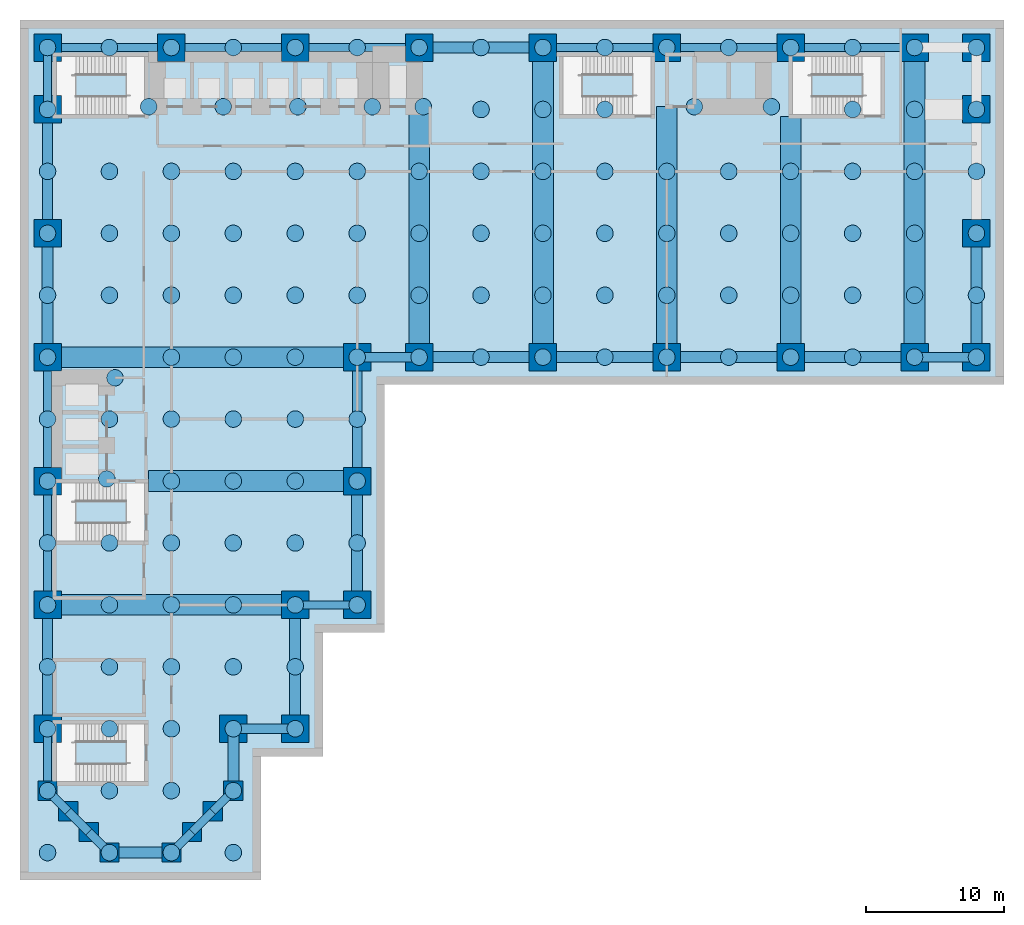
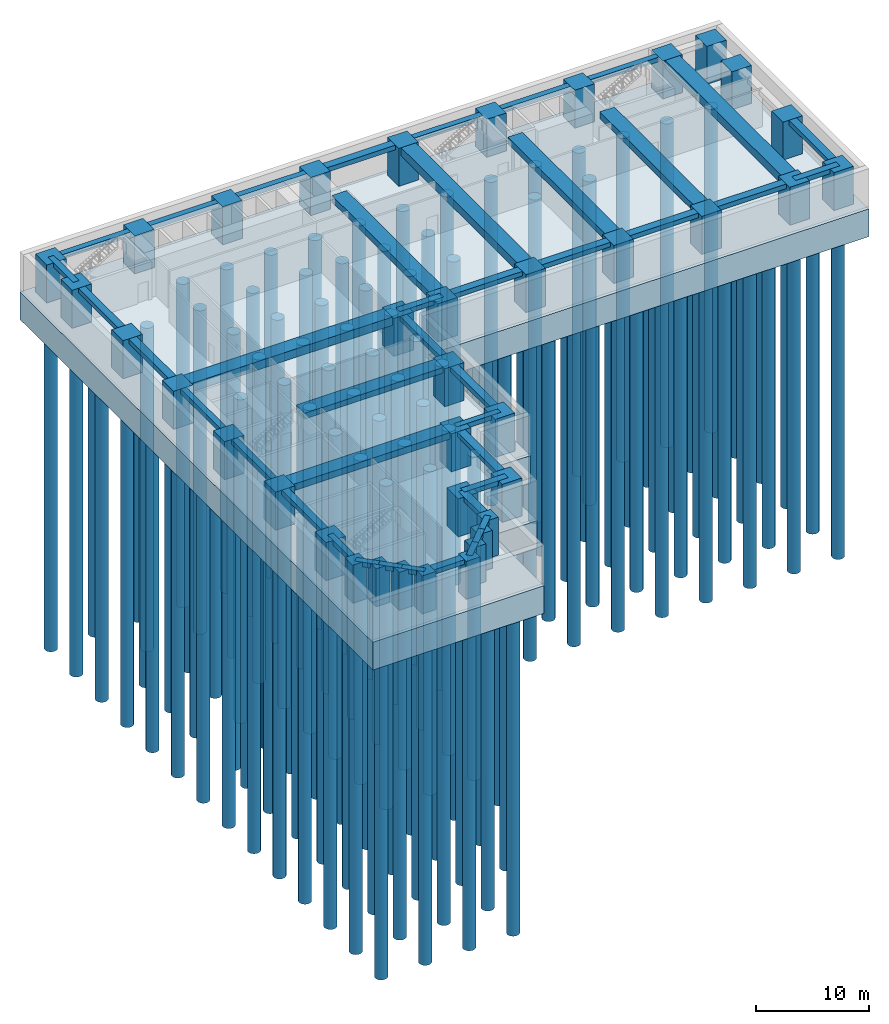
# One storey, part 1 of 7: 136 piles, 42 beams, 37 columns, 1 footing.
"""IFC4 building model written with IfcOpenShell, lengths in metres."""

from ifc_helpers import new_model, si_unit, direction, frame, origin, origin_2d, place, context, subcontext, project, spatial, polyline, rectangle, circle, outline, extrude, material, layer, layer_set, material_profile, profile_set, type_object, element, save


model = new_model("IFC4")

# Units and contexts
model_context = context("Model", 3, precision=1e-05, world=origin(), true_north=direction((0.0, 1.0)))
body_context = subcontext(model_context, "Body", "Model", "MODEL_VIEW")
ifc_project = project(units=[si_unit("LENGTHUNIT", "METRE"), si_unit("AREAUNIT", "SQUARE_METRE"), si_unit("VOLUMEUNIT", "CUBIC_METRE"), si_unit("PLANEANGLEUNIT", "RADIAN"), si_unit("MASSUNIT", "GRAM", prefix="KILO")], contexts=[model_context])

# Site, building, storey
site_placement = place(None, origin())
site = spatial("IfcSite", under=ifc_project, at=site_placement, CompositionType="ELEMENT")
building_placement = place(site_placement, origin())
building = spatial("IfcBuilding", under=site, at=building_placement, Name="Firuza Court", CompositionType="ELEMENT")
storey_placement = place(building_placement, frame((0.0, 0.0, -9.0)))
storey = spatial("IfcBuildingStorey", under=building, at=storey_placement, Name="B2", CompositionType="ELEMENT", Elevation=-9.0)

# Piles
ifc_material_1 = material(Name="Concrete C40/50", Category="concrete")
ifc_material_profile_1 = material_profile(ifc_material_1, circle(Radius=0.60009765625, at=origin_2d()), Name="Pile D1200")
ifc_profile_set_1 = profile_set([ifc_material_profile_1], Name="Concrete C40/50")
pile_type = type_object("IfcPileType", Name="Bored pile D1200", PredefinedType="BORED", material=ifc_profile_set_1)
for number, where, z_axis, x_axis, name in (
    (1, (0.0, 0.0, -3.25), (0.0, 0.0, -1.0), (1.0, 0.0, 0.0), "Pile P1 001"),
    (2, (4.5, 0.0, -3.25), (0.0, 0.0, -1.0), (1.0, 0.0, 0.0), "Pile P1 002"),
    (3, (9.0, 0.0, -3.25), (0.0, 0.0, -1.0), (1.0, 0.0, 0.0), "Pile P1 003"),
    (4, (13.5, 0.0, -3.25), (0.0, 0.0, -1.0), (1.0, 0.0, 0.0), "Pile P1 004"),
    (5, (0.0, 4.5, -3.25), (0.0, 0.0, -1.0), (1.0, 0.0, 0.0), "Pile P1 005"),
    (6, (4.5, 4.5, -3.25), (0.0, 0.0, -1.0), (1.0, 0.0, 0.0), "Pile P1 006"),
    (7, (9.0, 4.5, -3.25), (0.0, 0.0, -1.0), (1.0, 0.0, 0.0), "Pile P1 007"),
    (8, (13.5, 4.5, -3.25), (0.0, 0.0, -1.0), (1.0, 0.0, 0.0), "Pile P1 008"),
    (9, (0.0, 9.0, -3.25), (0.0, 0.0, -1.0), (1.0, 0.0, 0.0), "Pile P1 009"),
    (10, (4.5, 9.0, -3.25), (0.0, 0.0, -1.0), (1.0, 0.0, 0.0), "Pile P1 010"),
    (11, (9.0, 9.0, -3.25), (0.0, 0.0, -1.0), (1.0, 0.0, 0.0), "Pile P1 011"),
    (12, (13.5, 9.0, -3.25), (0.0, 0.0, -1.0), (1.0, 0.0, 0.0), "Pile P1 012"),
    (13, (18.0, 9.0, -3.25), (0.0, 0.0, -1.0), (1.0, 0.0, 0.0), "Pile P1 013"),
    (14, (0.0, 13.5, -3.25), (0.0, 0.0, -1.0), (1.0, 0.0, 0.0), "Pile P1 014"),
    (15, (4.5, 13.5, -3.25), (0.0, 0.0, -1.0), (1.0, 0.0, 0.0), "Pile P1 015"),
    (16, (9.0, 13.5, -3.25), (0.0, 0.0, -1.0), (1.0, 0.0, 0.0), "Pile P1 016"),
    (17, (13.5, 13.5, -3.25), (0.0, 0.0, -1.0), (1.0, 0.0, 0.0), "Pile P1 017"),
    (18, (18.0, 13.5, -3.25), (0.0, 0.0, -1.0), (1.0, 0.0, 0.0), "Pile P1 018"),
    (19, (0.0, 18.0, -3.25), (0.0, 0.0, -1.0), (1.0, 0.0, 0.0), "Pile P1 019"),
    (20, (4.5, 18.0, -3.25), (0.0, 0.0, -1.0), (1.0, 0.0, 0.0), "Pile P1 020"),
    (21, (9.0, 18.0, -3.25), (0.0, 0.0, -1.0), (1.0, 0.0, 0.0), "Pile P1 021"),
    (22, (13.5, 18.0, -3.25), (0.0, 0.0, -1.0), (1.0, 0.0, 0.0), "Pile P1 022"),
    (23, (18.0, 18.0, -3.25), (0.0, 0.0, -1.0), (1.0, 0.0, 0.0), "Pile P1 023"),
    (24, (22.5, 18.0, -3.25), (0.0, 0.0, -1.0), (1.0, 0.0, 0.0), "Pile P1 024"),
    (25, (0.0, 22.5, -3.25), (0.0, 0.0, -1.0), (1.0, 0.0, 0.0), "Pile P1 025"),
    (26, (4.5, 22.5, -3.25), (0.0, 0.0, -1.0), (1.0, 0.0, 0.0), "Pile P1 026"),
    (27, (9.0, 22.5, -3.25), (0.0, 0.0, -1.0), (1.0, 0.0, 0.0), "Pile P1 027"),
    (28, (13.5, 22.5, -3.25), (0.0, 0.0, -1.0), (1.0, 0.0, 0.0), "Pile P1 028"),
    (29, (18.0, 22.5, -3.25), (0.0, 0.0, -1.0), (1.0, 0.0, 0.0), "Pile P1 029"),
    (30, (22.5, 22.5, -3.25), (0.0, 0.0, -1.0), (1.0, 0.0, 0.0), "Pile P1 030"),
    (31, (0.0, 27.0, -3.25), (0.0, 0.0, -1.0), (1.0, 0.0, 0.0), "Pile P1 031"),
    (32, (9.0, 27.0, -3.25), (0.0, 0.0, -1.0), (1.0, 0.0, 0.0), "Pile P1 032"),
    (33, (13.5, 27.0, -3.25), (0.0, 0.0, -1.0), (1.0, 0.0, 0.0), "Pile P1 033"),
    (34, (18.0, 27.0, -3.25), (0.0, 0.0, -1.0), (1.0, 0.0, 0.0), "Pile P1 034"),
    (35, (22.5, 27.0, -3.25), (0.0, 0.0, -1.0), (1.0, 0.0, 0.0), "Pile P1 035"),
    (36, (4.300048828125, 27.14990234375, -3.25), (0.0, 0.0, -1.0), (1.0, 0.0, 0.0), "Pile P1 036"),
    (37, (0.0, 31.5, -3.25), (0.0, 0.0, -1.0), (1.0, 0.0, 0.0), "Pile P1 037"),
    (38, (4.5, 31.5, -3.25), (0.0, 0.0, -1.0), (1.0, 0.0, 0.0), "Pile P1 038"),
    (39, (9.0, 31.5, -3.25), (0.0, 0.0, -1.0), (1.0, 0.0, 0.0), "Pile P1 039"),
    (40, (13.5, 31.5, -3.25), (0.0, 0.0, -1.0), (1.0, 0.0, 0.0), "Pile P1 040"),
    (41, (18.0, 31.5, -3.25), (0.0, 0.0, -1.0), (1.0, 0.0, 0.0), "Pile P1 041"),
    (42, (22.5, 31.5, -3.25), (0.0, 0.0, -1.0), (1.0, 0.0, 0.0), "Pile P1 042"),
    (43, (4.89990234375, 34.5, -3.25), (0.0, 0.0, -1.0), (1.0, 0.0, 0.0), "Pile P1 043"),
    (44, (0.0, 36.0, -3.25), (0.0, 0.0, -1.0), (1.0, 0.0, 0.0), "Pile P1 044"),
    (45, (9.0, 36.0, -3.25), (0.0, 0.0, -1.0), (1.0, 0.0, 0.0), "Pile P1 045"),
    (46, (13.5, 36.0, -3.25), (0.0, 0.0, -1.0), (1.0, 0.0, 0.0), "Pile P1 046"),
    (47, (18.0, 36.0, -3.25), (0.0, 0.0, -1.0), (1.0, 0.0, 0.0), "Pile P1 047"),
    (48, (22.5, 36.0, -3.25), (0.0, 0.0, -1.0), (1.0, 0.0, 0.0), "Pile P1 048"),
    (49, (27.0, 36.0, -3.25), (0.0, 0.0, -1.0), (1.0, 0.0, 0.0), "Pile P1 049"),
    (50, (31.5, 36.0, -3.25), (0.0, 0.0, -1.0), (1.0, 0.0, 0.0), "Pile P1 050"),
    (51, (36.0, 36.0, -3.25), (0.0, 0.0, -1.0), (1.0, 0.0, 0.0), "Pile P1 051"),
    (52, (40.5, 36.0, -3.25), (0.0, 0.0, -1.0), (1.0, 0.0, 0.0), "Pile P1 052"),
    (53, (45.0, 36.0, -3.25), (0.0, 0.0, -1.0), (1.0, 0.0, 0.0), "Pile P1 053"),
    (54, (49.5, 36.0, -3.25), (0.0, 0.0, -1.0), (1.0, 0.0, 0.0), "Pile P1 054"),
    (55, (54.0, 36.0, -3.25), (0.0, 0.0, -1.0), (1.0, 0.0, 0.0), "Pile P1 055"),
    (56, (58.5, 36.0, -3.25), (0.0, 0.0, -1.0), (1.0, 0.0, 0.0), "Pile P1 056"),
    (57, (63.0, 36.0, -3.25), (0.0, 0.0, -1.0), (1.0, 0.0, 0.0), "Pile P1 057"),
    (58, (67.5, 36.0, -3.25), (0.0, 0.0, -1.0), (1.0, 0.0, 0.0), "Pile P1 058"),
    (59, (0.0, 40.5, -3.25), (0.0, 0.0, -1.0), (1.0, 0.0, 0.0), "Pile P1 059"),
    (60, (4.5, 40.5, -3.25), (0.0, 0.0, -1.0), (1.0, 0.0, 0.0), "Pile P1 060"),
    (61, (9.0, 40.5, -3.25), (0.0, 0.0, -1.0), (1.0, 0.0, 0.0), "Pile P1 061"),
    (62, (13.5, 40.5, -3.25), (0.0, 0.0, -1.0), (1.0, 0.0, 0.0), "Pile P1 062"),
    (63, (18.0, 40.5, -3.25), (0.0, 0.0, -1.0), (1.0, 0.0, 0.0), "Pile P1 063"),
    (64, (22.5, 40.5, -3.25), (0.0, 0.0, -1.0), (1.0, 0.0, 0.0), "Pile P1 064"),
    (65, (27.0, 40.5, -3.25), (0.0, 0.0, -1.0), (1.0, 0.0, 0.0), "Pile P1 065"),
    (66, (31.5, 40.5, -3.25), (0.0, 0.0, -1.0), (1.0, 0.0, 0.0), "Pile P1 066"),
    (67, (36.0, 40.5, -3.25), (0.0, 0.0, -1.0), (1.0, 0.0, 0.0), "Pile P1 067"),
    (68, (40.5, 40.5, -3.25), (0.0, 0.0, -1.0), (1.0, 0.0, 0.0), "Pile P1 068"),
    (69, (45.0, 40.5, -3.25), (0.0, 0.0, -1.0), (1.0, 0.0, 0.0), "Pile P1 069"),
    (70, (49.5, 40.5, -3.25), (0.0, 0.0, -1.0), (1.0, 0.0, 0.0), "Pile P1 070"),
    (71, (54.0, 40.5, -3.25), (0.0, 0.0, -1.0), (1.0, 0.0, 0.0), "Pile P1 071"),
    (72, (58.5, 40.5, -3.25), (0.0, 0.0, -1.0), (1.0, 0.0, 0.0), "Pile P1 072"),
    (73, (63.0, 40.5, -3.25), (0.0, 0.0, -1.0), (1.0, 0.0, 0.0), "Pile P1 073"),
    (74, (67.5, 40.5, -3.25), (0.0, 0.0, -1.0), (1.0, 0.0, 0.0), "Pile P1 074"),
    (75, (0.0, 45.0, -3.25), (0.0, 0.0, -1.0), (1.0, 0.0, 0.0), "Pile P1 075"),
    (76, (4.5, 45.0, -3.25), (0.0, 0.0, -1.0), (1.0, 0.0, 0.0), "Pile P1 076"),
    (77, (9.0, 45.0, -3.25), (0.0, 0.0, -1.0), (1.0, 0.0, 0.0), "Pile P1 077"),
    (78, (13.5, 45.0, -3.25), (0.0, 0.0, -1.0), (1.0, 0.0, 0.0), "Pile P1 078"),
    (79, (18.0, 45.0, -3.25), (0.0, 0.0, -1.0), (1.0, 0.0, 0.0), "Pile P1 079"),
    (80, (22.5, 45.0, -3.25), (0.0, 0.0, -1.0), (1.0, 0.0, 0.0), "Pile P1 080"),
    (81, (27.0, 45.0, -3.25), (0.0, 0.0, -1.0), (1.0, 0.0, 0.0), "Pile P1 081"),
    (82, (31.5, 45.0, -3.25), (0.0, 0.0, -1.0), (1.0, 0.0, 0.0), "Pile P1 082"),
    (83, (36.0, 45.0, -3.25), (0.0, 0.0, -1.0), (1.0, 0.0, 0.0), "Pile P1 083"),
    (84, (40.5, 45.0, -3.25), (0.0, 0.0, -1.0), (1.0, 0.0, 0.0), "Pile P1 084"),
    (85, (45.0, 45.0, -3.25), (0.0, 0.0, -1.0), (1.0, 0.0, 0.0), "Pile P1 085"),
    (86, (49.5, 45.0, -3.25), (0.0, 0.0, -1.0), (1.0, 0.0, 0.0), "Pile P1 086"),
    (87, (54.0, 45.0, -3.25), (0.0, 0.0, -1.0), (1.0, 0.0, 0.0), "Pile P1 087"),
    (88, (58.5, 45.0, -3.25), (0.0, 0.0, -1.0), (1.0, 0.0, 0.0), "Pile P1 088"),
    (89, (63.0, 45.0, -3.25), (0.0, 0.0, -1.0), (1.0, 0.0, 0.0), "Pile P1 089"),
    (90, (67.5, 45.0, -3.25), (0.0, 0.0, -1.0), (1.0, 0.0, 0.0), "Pile P1 090"),
    (91, (0.0, 49.5, -3.25), (0.0, 0.0, -1.0), (1.0, 0.0, 0.0), "Pile P1 091"),
    (92, (4.5, 49.5, -3.25), (0.0, 0.0, -1.0), (1.0, 0.0, 0.0), "Pile P1 092"),
    (93, (9.0, 49.5, -3.25), (0.0, 0.0, -1.0), (1.0, 0.0, 0.0), "Pile P1 093"),
    (94, (13.5, 49.5, -3.25), (0.0, 0.0, -1.0), (1.0, 0.0, 0.0), "Pile P1 094"),
    (95, (18.0, 49.5, -3.25), (0.0, 0.0, -1.0), (1.0, 0.0, 0.0), "Pile P1 095"),
    (96, (22.5, 49.5, -3.25), (0.0, 0.0, -1.0), (1.0, 0.0, 0.0), "Pile P1 096"),
    (97, (27.0, 49.5, -3.25), (0.0, 0.0, -1.0), (1.0, 0.0, 0.0), "Pile P1 097"),
    (98, (31.5, 49.5, -3.25), (0.0, 0.0, -1.0), (1.0, 0.0, 0.0), "Pile P1 098"),
    (99, (36.0, 49.5, -3.25), (0.0, 0.0, -1.0), (1.0, 0.0, 0.0), "Pile P1 099"),
    (100, (40.5, 49.5, -3.25), (0.0, 0.0, -1.0), (1.0, 0.0, 0.0), "Pile P1 100"),
    (101, (45.0, 49.5, -3.25), (0.0, 0.0, -1.0), (1.0, 0.0, 0.0), "Pile P1 101"),
    (102, (49.5, 49.5, -3.25), (0.0, 0.0, -1.0), (1.0, 0.0, 0.0), "Pile P1 102"),
    (103, (54.0, 49.5, -3.25), (0.0, 0.0, -1.0), (1.0, 0.0, 0.0), "Pile P1 103"),
    (104, (58.5, 49.5, -3.25), (0.0, 0.0, -1.0), (1.0, 0.0, 0.0), "Pile P1 104"),
    (105, (63.0, 49.5, -3.25), (0.0, 0.0, -1.0), (1.0, 0.0, 0.0), "Pile P1 105"),
    (106, (67.5, 49.5, -3.25), (0.0, 0.0, -1.0), (1.0, 0.0, 0.0), "Pile P1 106"),
    (107, (0.0, 54.0, -3.25), (0.0, 0.0, -1.0), (1.0, 0.0, 0.0), "Pile P1 107"),
    (108, (31.5, 54.0, -3.25), (0.0, 0.0, -1.0), (1.0, 0.0, 0.0), "Pile P1 108"),
    (109, (36.0, 54.0, -3.25), (0.0, 0.0, -1.0), (1.0, 0.0, 0.0), "Pile P1 109"),
    (110, (40.5, 54.0, -3.25), (0.0, 0.0, -1.0), (1.0, 0.0, 0.0), "Pile P1 110"),
    (111, (58.5, 54.0, -3.25), (0.0, 0.0, -1.0), (1.0, 0.0, 0.0), "Pile P1 111"),
    (112, (63.0, 54.0, -3.25), (0.0, 0.0, -1.0), (1.0, 0.0, 0.0), "Pile P1 112"),
    (113, (67.5, 54.0, -3.25), (0.0, 0.0, -1.0), (1.0, 0.0, 0.0), "Pile P1 113"),
    (114, (7.35009765625, 54.199951171875, -3.25), (0.0, 0.0, -1.0), (1.0, 0.0, 0.0), "Pile P1 114"),
    (115, (12.76708984375, 54.199951171875, -3.25), (0.0, 0.0, -1.0), (1.0, 0.0, 0.0), "Pile P1 115"),
    (116, (18.18310546875, 54.199951171875, -3.25), (0.0, 0.0, -1.0), (1.0, 0.0, 0.0), "Pile P1 116"),
    (117, (23.60009765625, 54.199951171875, -3.25), (0.0, 0.0, -1.0), (1.0, 0.0, 0.0), "Pile P1 117"),
    (118, (27.300048828125, 54.199951171875, -3.25), (0.0, 0.0, -1.0), (1.0, 0.0, 0.0), "Pile P1 118"),
    (119, (47.0, 54.199951171875, -3.25), (0.0, 0.0, -1.0), (1.0, 0.0, 0.0), "Pile P1 119"),
    (120, (52.60009765625, 54.199951171875, -3.25), (0.0, 0.0, -1.0), (1.0, 0.0, 0.0), "Pile P1 120"),
    (121, (0.0, 58.5, -3.25), (0.0, 0.0, -1.0), (1.0, 0.0, 0.0), "Pile P1 121"),
    (122, (4.5, 58.5, -3.25), (0.0, 0.0, -1.0), (1.0, 0.0, 0.0), "Pile P1 122"),
    (123, (9.0, 58.5, -3.25), (0.0, 0.0, -1.0), (1.0, 0.0, 0.0), "Pile P1 123"),
    (124, (13.5, 58.5, -3.25), (0.0, 0.0, -1.0), (1.0, 0.0, 0.0), "Pile P1 124"),
    (125, (18.0, 58.5, -3.25), (0.0, 0.0, -1.0), (1.0, 0.0, 0.0), "Pile P1 125"),
    (126, (22.5, 58.5, -3.25), (0.0, 0.0, -1.0), (1.0, 0.0, 0.0), "Pile P1 126"),
    (127, (27.0, 58.5, -3.25), (0.0, 0.0, -1.0), (1.0, 0.0, 0.0), "Pile P1 127"),
    (128, (31.5, 58.5, -3.25), (0.0, 0.0, -1.0), (1.0, 0.0, 0.0), "Pile P1 128"),
    (129, (36.0, 58.5, -3.25), (0.0, 0.0, -1.0), (1.0, 0.0, 0.0), "Pile P1 129"),
    (130, (40.5, 58.5, -3.25), (0.0, 0.0, -1.0), (1.0, 0.0, 0.0), "Pile P1 130"),
    (131, (45.0, 58.5, -3.25), (0.0, 0.0, -1.0), (1.0, 0.0, 0.0), "Pile P1 131"),
    (132, (49.5, 58.5, -3.25), (0.0, 0.0, -1.0), (1.0, 0.0, 0.0), "Pile P1 132"),
    (133, (54.0, 58.5, -3.25), (0.0, 0.0, -1.0), (1.0, 0.0, 0.0), "Pile P1 133"),
    (134, (58.5, 58.5, -3.25), (0.0, 0.0, -1.0), (1.0, 0.0, 0.0), "Pile P1 134"),
    (135, (63.0, 58.5, -3.25), (0.0, 0.0, -1.0), (1.0, 0.0, 0.0), "Pile P1 135"),
    (136, (67.5, 58.5, -3.25), (0.0, 0.0, -1.0), (1.0, 0.0, 0.0), "Pile P1 136"),
):
    element("IfcPile", number, at=place(storey_placement, frame(where, z_axis=z_axis, x_axis=x_axis)), inside=storey, type_object=pile_type, Name=name, PredefinedType="BORED", context=body_context, shape_type="SweptSolid", body=[
        extrude(circle(Radius=0.60009765625, at=origin_2d()), origin(), (0.0, 0.0, 1.0), 35.0),
    ])

# Footing
ifc_material_2 = material(Name="Concrete C40/50", Category="concrete")
ifc_layer = layer(ifc_material_2, 3.0)
ifc_layer_set = layer_set([ifc_layer], Name="Concrete C40/50")
footing_type = type_object("IfcFootingType", Name="Piled raft 3000", PredefinedType="PILE_CAP", material=ifc_layer_set)
footing_placement = place(storey_placement, frame((0.0, 0.0, -3.25)))
element("IfcFooting", 137, at=footing_placement, inside=storey, type_object=footing_type, Name="Tower piled raft R1", PredefinedType="PILE_CAP", context=body_context, shape_type="SweptSolid", body=[
    extrude(outline(polyline([(15.5, -2.0), (15.5, 7.0), (20.0, 7.0), (20.0, 16.0), (24.5, 16.0), (24.5, 34.0), (69.5, 34.0), (69.5, 60.5), (-2.0, 60.5), (-2.0, -2.0), (15.5, -2.0)])), origin(), (0.0, 0.0, 1.0), 3.0),
])

# Columns
ifc_material_3 = material(Name="Concrete C80/95", Category="concrete")
ifc_material_profile_2 = material_profile(ifc_material_3, rectangle(XDim=1.39990234375, YDim=1.39990234375, at=origin_2d()), Name="RC 1400x1400")
ifc_profile_set_2 = profile_set([ifc_material_profile_2], Name="Concrete C80/95")
column_type_1 = type_object("IfcColumnType", Name="Stilt column RC 1400x1400 C80/95", PredefinedType="COLUMN", material=ifc_profile_set_2)
for number, where, z_axis, x_axis, name in (
    (138, (4.5, 0.0, 0.0), (0.0, 0.0, 1.0), (1.0, 0.0, 0.0), "Column C-2D B2"),
    (139, (9.0, 0.0, 0.0), (0.0, 0.0, 1.0), (1.0, 0.0, 0.0), "Column C-3D B2"),
    (140, (3.0, 1.5, 0.0), (0.0, 0.0, 1.0), (1.0, 0.0, 0.0), "Column C-SA1 B2"),
    (141, (10.5, 1.5, 0.0), (0.0, 0.0, 1.0), (1.0, 0.0, 0.0), "Column C-SA2 B2"),
    (142, (1.5, 3.0, 0.0), (0.0, 0.0, 1.0), (1.0, 0.0, 0.0), "Column C-SA3 B2"),
    (143, (12.0, 3.0, 0.0), (0.0, 0.0, 1.0), (1.0, 0.0, 0.0), "Column C-SA4 B2"),
    (144, (0.0, 4.5, 0.0), (0.0, 0.0, 1.0), (1.0, 0.0, 0.0), "Column C-1E B2"),
    (145, (13.5, 4.5, 0.0), (0.0, 0.0, 1.0), (1.0, 0.0, 0.0), "Column C-4E B2"),
):
    element("IfcColumn", number, at=place(storey_placement, frame(where, z_axis=z_axis, x_axis=x_axis)), inside=storey, type_object=column_type_1, Name=name, PredefinedType="COLUMN", context=body_context, shape_type="SweptSolid", body=[
        extrude(rectangle(XDim=1.39990234375, YDim=1.39990234375, at=origin_2d()), origin(), (0.0, 0.0, 1.0), 4.10009765625),
    ])
ifc_material_4 = material(Name="Concrete C80/95", Category="concrete")
ifc_material_profile_3 = material_profile(ifc_material_4, rectangle(XDim=2.0, YDim=2.0, at=origin_2d()), Name="RC 2000x2000")
ifc_profile_set_3 = profile_set([ifc_material_profile_3], Name="Concrete C80/95")
column_type_2 = type_object("IfcColumnType", Name="Stilt column RC 2000x2000 C80/95", PredefinedType="COLUMN", material=ifc_profile_set_3)
for number, where, z_axis, x_axis, name in (
    (146, (0.0, 9.0, 0.0), (0.0, 0.0, 1.0), (1.0, 0.0, 0.0), "Column C-1F B2"),
    (147, (13.5, 9.0, 0.0), (0.0, 0.0, 1.0), (1.0, 0.0, 0.0), "Column C-4F B2"),
    (148, (18.0, 9.0, 0.0), (0.0, 0.0, 1.0), (1.0, 0.0, 0.0), "Column C-5F B2"),
    (149, (0.0, 18.0, 0.0), (0.0, 0.0, 1.0), (1.0, 0.0, 0.0), "Column C-1H B2"),
    (150, (18.0, 18.0, 0.0), (0.0, 0.0, 1.0), (1.0, 0.0, 0.0), "Column C-5H B2"),
    (151, (22.5, 18.0, 0.0), (0.0, 0.0, 1.0), (1.0, 0.0, 0.0), "Column C-6H B2"),
    (152, (0.0, 27.0, 0.0), (0.0, 0.0, 1.0), (1.0, 0.0, 0.0), "Column C-1K B2"),
    (153, (22.5, 27.0, 0.0), (0.0, 0.0, 1.0), (1.0, 0.0, 0.0), "Column C-6K B2"),
    (154, (0.0, 36.0, 0.0), (0.0, 0.0, 1.0), (1.0, 0.0, 0.0), "Column C-1M B2"),
    (155, (22.5, 36.0, 0.0), (0.0, 0.0, 1.0), (1.0, 0.0, 0.0), "Column C-6M B2"),
    (156, (27.0, 36.0, 0.0), (0.0, 0.0, 1.0), (1.0, 0.0, 0.0), "Column C-7M B2"),
    (157, (36.0, 36.0, 0.0), (0.0, 0.0, 1.0), (1.0, 0.0, 0.0), "Column C-9M B2"),
    (158, (45.0, 36.0, 0.0), (0.0, 0.0, 1.0), (1.0, 0.0, 0.0), "Column C-11M B2"),
    (159, (54.0, 36.0, 0.0), (0.0, 0.0, 1.0), (1.0, 0.0, 0.0), "Column C-13M B2"),
    (160, (63.0, 36.0, 0.0), (0.0, 0.0, 1.0), (1.0, 0.0, 0.0), "Column C-15M B2"),
    (161, (67.5, 36.0, 0.0), (0.0, 0.0, 1.0), (1.0, 0.0, 0.0), "Column C-16M B2"),
    (162, (0.0, 45.0, 0.0), (0.0, 0.0, 1.0), (1.0, 0.0, 0.0), "Column C-1P B2"),
    (163, (67.5, 45.0, 0.0), (0.0, 0.0, 1.0), (1.0, 0.0, 0.0), "Column C-16P B2"),
    (164, (0.0, 54.0, 0.0), (0.0, 0.0, 1.0), (1.0, 0.0, 0.0), "Column C-1R B2"),
    (165, (67.5, 54.0, 0.0), (0.0, 0.0, 1.0), (1.0, 0.0, 0.0), "Column C-16R B2"),
    (166, (0.0, 58.5, 0.0), (0.0, 0.0, 1.0), (1.0, 0.0, 0.0), "Column C-1S B2"),
    (167, (9.0, 58.5, 0.0), (0.0, 0.0, 1.0), (1.0, 0.0, 0.0), "Column C-3S B2"),
    (168, (18.0, 58.5, 0.0), (0.0, 0.0, 1.0), (1.0, 0.0, 0.0), "Column C-5S B2"),
    (169, (27.0, 58.5, 0.0), (0.0, 0.0, 1.0), (1.0, 0.0, 0.0), "Column C-7S B2"),
    (170, (36.0, 58.5, 0.0), (0.0, 0.0, 1.0), (1.0, 0.0, 0.0), "Column C-9S B2"),
    (171, (45.0, 58.5, 0.0), (0.0, 0.0, 1.0), (1.0, 0.0, 0.0), "Column C-11S B2"),
    (172, (54.0, 58.5, 0.0), (0.0, 0.0, 1.0), (1.0, 0.0, 0.0), "Column C-13S B2"),
    (173, (63.0, 58.5, 0.0), (0.0, 0.0, 1.0), (1.0, 0.0, 0.0), "Column C-15S B2"),
    (174, (67.5, 58.5, 0.0), (0.0, 0.0, 1.0), (1.0, 0.0, 0.0), "Column C-16S B2"),
):
    element("IfcColumn", number, at=place(storey_placement, frame(where, z_axis=z_axis, x_axis=x_axis)), inside=storey, type_object=column_type_2, Name=name, PredefinedType="COLUMN", context=body_context, shape_type="SweptSolid", body=[
        extrude(rectangle(XDim=2.0, YDim=2.0, at=origin_2d()), origin(), (0.0, 0.0, 1.0), 4.10009765625),
    ])

# Beams
ifc_material_5 = material(Name="Concrete C40/50", Category="concrete")
ifc_material_profile_4 = material_profile(ifc_material_5, rectangle(XDim=1.5, YDim=0.60009765625, at=origin_2d()), Name="RC 1500x600")
ifc_profile_set_4 = profile_set([ifc_material_profile_4], Name="Concrete C40/50")
beam_type_1 = type_object("IfcBeamType", Name="Band beam RC 1500x600 C40/50", PredefinedType="BEAM", material=ifc_profile_set_4)
beam_1_placement = place(storey_placement, frame((22.5, 27.0, 3.800048828125), z_axis=(-1.0, 0.0, 0.0), x_axis=(0.0, -1.0, 0.0)))
element("IfcBeam", 175, at=beam_1_placement, inside=storey, type_object=beam_type_1, Name="Band beam FB3 level B1", PredefinedType="BEAM", context=body_context, shape_type="SweptSolid", body=[
    extrude(rectangle(XDim=1.5, YDim=0.60009765625, at=origin_2d()), origin(), (0.0, 0.0, 1.0), 15.14990234375),
])
ifc_material_6 = material(Name="Concrete C40/50", Category="concrete")
ifc_material_profile_5 = material_profile(ifc_material_6, rectangle(XDim=1.5, YDim=0.699951171875, at=origin_2d()), Name="RC 1500x700")
ifc_profile_set_5 = profile_set([ifc_material_profile_5], Name="Concrete C40/50")
beam_type_2 = type_object("IfcBeamType", Name="Band beam RC 1500x700 C40/50", PredefinedType="BEAM", material=ifc_profile_set_5)
beam_2_placement = place(storey_placement, frame((0.0, 18.0, 3.75), z_axis=(1.0, 0.0, 0.0), x_axis=(0.0, 1.0, 0.0)))
element("IfcBeam", 176, at=beam_2_placement, inside=storey, type_object=beam_type_2, Name="Band beam FB1 level B1", PredefinedType="BEAM", context=body_context, shape_type="SweptSolid", body=[
    extrude(rectangle(XDim=1.5, YDim=0.699951171875, at=origin_2d()), origin(), (0.0, 0.0, 1.0), 18.0),
])
for number, where, z_axis, x_axis, name in (
    (177, (27.0, 36.0, 3.75), (0.0, 1.0, 0.0), (-1.0, 0.0, 0.0), "Band beam FB1 level B1"),
    (178, (45.0, 36.0, 3.75), (0.0, 1.0, 0.0), (-1.0, 0.0, 0.0), "Band beam FB1 level B1"),
):
    element("IfcBeam", number, at=place(storey_placement, frame(where, z_axis=z_axis, x_axis=x_axis)), inside=storey, type_object=beam_type_2, Name=name, PredefinedType="BEAM", context=body_context, shape_type="SweptSolid", body=[
        extrude(rectangle(XDim=1.5, YDim=0.699951171875, at=origin_2d()), origin(), (0.0, 0.0, 1.0), 18.199951171875),
    ])
beam_3_placement = place(storey_placement, frame((54.0, 36.0, 3.75), z_axis=(0.0, 1.0, 0.0), x_axis=(-1.0, 0.0, 0.0)))
element("IfcBeam", 179, at=beam_3_placement, inside=storey, type_object=beam_type_2, Name="Band beam FB1 level B1", PredefinedType="BEAM", context=body_context, shape_type="SweptSolid", body=[
    extrude(rectangle(XDim=1.5, YDim=0.699951171875, at=origin_2d()), origin(), (0.0, 0.0, 1.0), 17.5),
])
ifc_material_7 = material(Name="Concrete C40/50", Category="concrete")
ifc_material_profile_6 = material_profile(ifc_material_7, rectangle(XDim=1.5, YDim=0.89990234375, at=origin_2d()), Name="RC 1500x900")
ifc_profile_set_6 = profile_set([ifc_material_profile_6], Name="Concrete C40/50")
beam_type_3 = type_object("IfcBeamType", Name="Band beam RC 1500x900 C40/50", PredefinedType="BEAM", material=ifc_profile_set_6)
for number, where, z_axis, x_axis, name in (
    (180, (0.0, 36.0, 3.64990234375), (1.0, 0.0, 0.0), (0.0, 1.0, 0.0), "Band beam FB2 level B1"),
    (181, (36.0, 36.0, 3.64990234375), (0.0, 1.0, 0.0), (-1.0, 0.0, 0.0), "Band beam FB2 level B1"),
    (182, (63.0, 36.0, 3.64990234375), (0.0, 1.0, 0.0), (-1.0, 0.0, 0.0), "Band beam FB2 level B1"),
):
    element("IfcBeam", number, at=place(storey_placement, frame(where, z_axis=z_axis, x_axis=x_axis)), inside=storey, type_object=beam_type_3, Name=name, PredefinedType="BEAM", context=body_context, shape_type="SweptSolid", body=[
        extrude(rectangle(XDim=1.5, YDim=0.89990234375, at=origin_2d()), origin(), (0.0, 0.0, 1.0), 22.5),
    ])
ifc_material_8 = material(Name="Concrete C40/50", Category="concrete")
ifc_material_profile_7 = material_profile(ifc_material_8, rectangle(XDim=0.60009765625, YDim=0.5, at=origin_2d()), Name="RC 600x500")
ifc_profile_set_7 = profile_set([ifc_material_profile_7], Name="Concrete C40/50")
beam_type_4 = type_object("IfcBeamType", Name="Spandrel beam RC 600x500 C40/50", PredefinedType="BEAM", material=ifc_profile_set_7)
beam_4_placement = place(storey_placement, frame((0.0, 4.5, 3.85009765625), z_axis=(0.707106781187, -0.707106781187, 0.0), x_axis=(0.707106781187, 0.707106781187, 0.0)))
element("IfcBeam", 183, at=beam_4_placement, inside=storey, type_object=beam_type_4, Name="Spandrel beam SP1 level B1", PredefinedType="BEAM", context=body_context, shape_type="SweptSolid", body=[
    extrude(rectangle(XDim=0.60009765625, YDim=0.5, at=origin_2d()), origin(), (0.0, 0.0, 1.0), 2.121337890625),
])
beam_5_placement = place(storey_placement, frame((0.0, 9.0, 3.85009765625), z_axis=(0.0, -1.0, 0.0), x_axis=(1.0, 0.0, 0.0)))
element("IfcBeam", 184, at=beam_5_placement, inside=storey, type_object=beam_type_4, Name="Spandrel beam SP1 level B1", PredefinedType="BEAM", context=body_context, shape_type="SweptSolid", body=[
    extrude(rectangle(XDim=0.60009765625, YDim=0.5, at=origin_2d()), origin(), (0.0, 0.0, 1.0), 4.5),
])
for number, where, z_axis, x_axis, name in (
    (185, (0.0, 27.0, 3.85009765625), (0.0, -1.0, 0.0), (1.0, 0.0, 0.0), "Spandrel beam SP1 level B1"),
    (186, (0.0, 36.0, 3.85009765625), (0.0, -1.0, 0.0), (1.0, 0.0, 0.0), "Spandrel beam SP1 level B1"),
):
    element("IfcBeam", number, at=place(storey_placement, frame(where, z_axis=z_axis, x_axis=x_axis)), inside=storey, type_object=beam_type_4, Name=name, PredefinedType="BEAM", context=body_context, shape_type="SweptSolid", body=[
        extrude(rectangle(XDim=0.60009765625, YDim=0.5, at=origin_2d()), origin(), (0.0, 0.0, 1.0), 9.0),
    ])
beam_6_placement = place(storey_placement, frame((0.0, 58.5, 3.85009765625), z_axis=(0.0, -1.0, 0.0), x_axis=(1.0, 0.0, 0.0)))
element("IfcBeam", 187, at=beam_6_placement, inside=storey, type_object=beam_type_4, Name="Spandrel beam SP1 level B1", PredefinedType="BEAM", context=body_context, shape_type="SweptSolid", body=[
    extrude(rectangle(XDim=0.60009765625, YDim=0.5, at=origin_2d()), origin(), (0.0, 0.0, 1.0), 4.5),
])
for number, where, z_axis, x_axis, name in (
    (188, (1.5, 3.0, 3.85009765625), (0.707106781187, -0.707106781187, 0.0), (0.707106781187, 0.707106781187, 0.0), "Spandrel beam SP1 level B1"),
    (189, (3.0, 1.5, 3.85009765625), (0.707106781187, -0.707106781187, 0.0), (0.707106781187, 0.707106781187, 0.0), "Spandrel beam SP1 level B1"),
    (190, (9.0, 0.0, 3.85009765625), (0.707106781187, 0.707106781187, 0.0), (-0.707106781187, 0.707106781187, 0.0), "Spandrel beam SP1 level B1"),
):
    element("IfcBeam", number, at=place(storey_placement, frame(where, z_axis=z_axis, x_axis=x_axis)), inside=storey, type_object=beam_type_4, Name=name, PredefinedType="BEAM", context=body_context, shape_type="SweptSolid", body=[
        extrude(rectangle(XDim=0.60009765625, YDim=0.5, at=origin_2d()), origin(), (0.0, 0.0, 1.0), 2.121337890625),
    ])
beam_7_placement = place(storey_placement, frame((9.0, 58.5, 3.85009765625), z_axis=(-1.0, 0.0, 0.0), x_axis=(0.0, -1.0, 0.0)))
element("IfcBeam", 191, at=beam_7_placement, inside=storey, type_object=beam_type_4, Name="Spandrel beam SP1 level B1", PredefinedType="BEAM", context=body_context, shape_type="SweptSolid", body=[
    extrude(rectangle(XDim=0.60009765625, YDim=0.5, at=origin_2d()), origin(), (0.0, 0.0, 1.0), 9.0),
])
for number, where, z_axis, x_axis, name in (
    (192, (10.5, 1.5, 3.85009765625), (0.707106781187, 0.707106781187, 0.0), (-0.707106781187, 0.707106781187, 0.0), "Spandrel beam SP1 level B1"),
    (193, (12.0, 3.0, 3.85009765625), (0.707106781187, 0.707106781187, 0.0), (-0.707106781187, 0.707106781187, 0.0), "Spandrel beam SP1 level B1"),
):
    element("IfcBeam", number, at=place(storey_placement, frame(where, z_axis=z_axis, x_axis=x_axis)), inside=storey, type_object=beam_type_4, Name=name, PredefinedType="BEAM", context=body_context, shape_type="SweptSolid", body=[
        extrude(rectangle(XDim=0.60009765625, YDim=0.5, at=origin_2d()), origin(), (0.0, 0.0, 1.0), 2.121337890625),
    ])
beam_8_placement = place(storey_placement, frame((18.0, 18.0, 3.85009765625), z_axis=(1.0, 0.0, 0.0), x_axis=(0.0, 1.0, 0.0)))
element("IfcBeam", 194, at=beam_8_placement, inside=storey, type_object=beam_type_4, Name="Spandrel beam SP1 level B1", PredefinedType="BEAM", context=body_context, shape_type="SweptSolid", body=[
    extrude(rectangle(XDim=0.60009765625, YDim=0.5, at=origin_2d()), origin(), (0.0, 0.0, 1.0), 4.5),
])
for number, where, z_axis, x_axis, name in (
    (195, (18.0, 58.5, 3.85009765625), (-1.0, 0.0, 0.0), (0.0, -1.0, 0.0), "Spandrel beam SP1 level B1"),
    (196, (27.0, 58.5, 3.85009765625), (-1.0, 0.0, 0.0), (0.0, -1.0, 0.0), "Spandrel beam SP1 level B1"),
    (197, (45.0, 58.5, 3.85009765625), (-1.0, 0.0, 0.0), (0.0, -1.0, 0.0), "Spandrel beam SP1 level B1"),
    (198, (54.0, 58.5, 3.85009765625), (-1.0, 0.0, 0.0), (0.0, -1.0, 0.0), "Spandrel beam SP1 level B1"),
    (199, (63.0, 58.5, 3.85009765625), (-1.0, 0.0, 0.0), (0.0, -1.0, 0.0), "Spandrel beam SP1 level B1"),
):
    element("IfcBeam", number, at=place(storey_placement, frame(where, z_axis=z_axis, x_axis=x_axis)), inside=storey, type_object=beam_type_4, Name=name, PredefinedType="BEAM", context=body_context, shape_type="SweptSolid", body=[
        extrude(rectangle(XDim=0.60009765625, YDim=0.5, at=origin_2d()), origin(), (0.0, 0.0, 1.0), 9.0),
    ])
ifc_material_9 = material(Name="Concrete C40/50", Category="concrete")
ifc_material_profile_8 = material_profile(ifc_material_9, rectangle(XDim=0.699951171875, YDim=0.5, at=origin_2d()), Name="RC 700x500")
ifc_profile_set_8 = profile_set([ifc_material_profile_8], Name="Concrete C40/50")
beam_type_5 = type_object("IfcBeamType", Name="Spandrel beam RC 700x500 C40/50", PredefinedType="BEAM", material=ifc_profile_set_8)
for number, where, z_axis, x_axis, name in (
    (200, (0.0, 18.0, 3.85009765625), (0.0, -1.0, 0.0), (1.0, 0.0, 0.0), "Spandrel beam SP2 level B1"),
    (201, (0.0, 54.0, 3.85009765625), (0.0, -1.0, 0.0), (1.0, 0.0, 0.0), "Spandrel beam SP2 level B1"),
):
    element("IfcBeam", number, at=place(storey_placement, frame(where, z_axis=z_axis, x_axis=x_axis)), inside=storey, type_object=beam_type_5, Name=name, PredefinedType="BEAM", context=body_context, shape_type="SweptSolid", body=[
        extrude(rectangle(XDim=0.699951171875, YDim=0.5, at=origin_2d()), origin(), (0.0, 0.0, 1.0), 9.0),
    ])
beam_9_placement = place(storey_placement, frame((13.5, 9.0, 3.85009765625), z_axis=(1.0, 0.0, 0.0), x_axis=(0.0, 1.0, 0.0)))
element("IfcBeam", 202, at=beam_9_placement, inside=storey, type_object=beam_type_5, Name="Spandrel beam SP2 level B1", PredefinedType="BEAM", context=body_context, shape_type="SweptSolid", body=[
    extrude(rectangle(XDim=0.699951171875, YDim=0.5, at=origin_2d()), origin(), (0.0, 0.0, 1.0), 4.5),
])
beam_10_placement = place(storey_placement, frame((22.5, 27.0, 3.85009765625), z_axis=(0.0, 1.0, 0.0), x_axis=(-1.0, 0.0, 0.0)))
element("IfcBeam", 203, at=beam_10_placement, inside=storey, type_object=beam_type_5, Name="Spandrel beam SP2 level B1", PredefinedType="BEAM", context=body_context, shape_type="SweptSolid", body=[
    extrude(rectangle(XDim=0.699951171875, YDim=0.5, at=origin_2d()), origin(), (0.0, 0.0, 1.0), 9.0),
])
for number, where, z_axis, x_axis, name in (
    (204, (22.5, 36.0, 3.85009765625), (1.0, 0.0, 0.0), (0.0, 1.0, 0.0), "Spandrel beam SP2 level B1"),
    (205, (63.0, 36.0, 3.85009765625), (1.0, 0.0, 0.0), (0.0, 1.0, 0.0), "Spandrel beam SP2 level B1"),
):
    element("IfcBeam", number, at=place(storey_placement, frame(where, z_axis=z_axis, x_axis=x_axis)), inside=storey, type_object=beam_type_5, Name=name, PredefinedType="BEAM", context=body_context, shape_type="SweptSolid", body=[
        extrude(rectangle(XDim=0.699951171875, YDim=0.5, at=origin_2d()), origin(), (0.0, 0.0, 1.0), 4.5),
    ])
ifc_material_10 = material(Name="Concrete C40/50", Category="concrete")
ifc_material_profile_9 = material_profile(ifc_material_10, rectangle(XDim=0.800048828125, YDim=0.5, at=origin_2d()), Name="RC 800x500")
ifc_profile_set_9 = profile_set([ifc_material_profile_9], Name="Concrete C40/50")
beam_type_6 = type_object("IfcBeamType", Name="Spandrel beam RC 800x500 C40/50", PredefinedType="BEAM", material=ifc_profile_set_9)
beam_11_placement = place(storey_placement, frame((0.0, 45.0, 3.85009765625), z_axis=(0.0, -1.0, 0.0), x_axis=(1.0, 0.0, 0.0)))
element("IfcBeam", 206, at=beam_11_placement, inside=storey, type_object=beam_type_6, Name="Spandrel beam SP3 level B1", PredefinedType="BEAM", context=body_context, shape_type="SweptSolid", body=[
    extrude(rectangle(XDim=0.800048828125, YDim=0.5, at=origin_2d()), origin(), (0.0, 0.0, 1.0), 9.0),
])
for number, where, z_axis, x_axis, name in (
    (207, (4.5, 0.0, 3.85009765625), (1.0, 0.0, 0.0), (0.0, 1.0, 0.0), "Spandrel beam SP3 level B1"),
    (208, (13.5, 4.5, 3.85009765625), (0.0, 1.0, 0.0), (-1.0, 0.0, 0.0), "Spandrel beam SP3 level B1"),
):
    element("IfcBeam", number, at=place(storey_placement, frame(where, z_axis=z_axis, x_axis=x_axis)), inside=storey, type_object=beam_type_6, Name=name, PredefinedType="BEAM", context=body_context, shape_type="SweptSolid", body=[
        extrude(rectangle(XDim=0.800048828125, YDim=0.5, at=origin_2d()), origin(), (0.0, 0.0, 1.0), 4.5),
    ])
for number, where, z_axis, x_axis, name in (
    (209, (18.0, 9.0, 3.85009765625), (0.0, 1.0, 0.0), (-1.0, 0.0, 0.0), "Spandrel beam SP3 level B1"),
    (210, (22.5, 18.0, 3.85009765625), (0.0, 1.0, 0.0), (-1.0, 0.0, 0.0), "Spandrel beam SP3 level B1"),
    (211, (27.0, 36.0, 3.85009765625), (1.0, 0.0, 0.0), (0.0, 1.0, 0.0), "Spandrel beam SP3 level B1"),
    (212, (36.0, 36.0, 3.85009765625), (1.0, 0.0, 0.0), (0.0, 1.0, 0.0), "Spandrel beam SP3 level B1"),
    (213, (36.0, 58.5, 3.85009765625), (-1.0, 0.0, 0.0), (0.0, -1.0, 0.0), "Spandrel beam SP3 level B1"),
    (214, (45.0, 36.0, 3.85009765625), (1.0, 0.0, 0.0), (0.0, 1.0, 0.0), "Spandrel beam SP3 level B1"),
    (215, (54.0, 36.0, 3.85009765625), (1.0, 0.0, 0.0), (0.0, 1.0, 0.0), "Spandrel beam SP3 level B1"),
    (216, (67.5, 36.0, 3.85009765625), (0.0, 1.0, 0.0), (-1.0, 0.0, 0.0), "Spandrel beam SP3 level B1"),
):
    element("IfcBeam", number, at=place(storey_placement, frame(where, z_axis=z_axis, x_axis=x_axis)), inside=storey, type_object=beam_type_6, Name=name, PredefinedType="BEAM", context=body_context, shape_type="SweptSolid", body=[
        extrude(rectangle(XDim=0.800048828125, YDim=0.5, at=origin_2d()), origin(), (0.0, 0.0, 1.0), 9.0),
    ])

save(model, "model.ifc")
